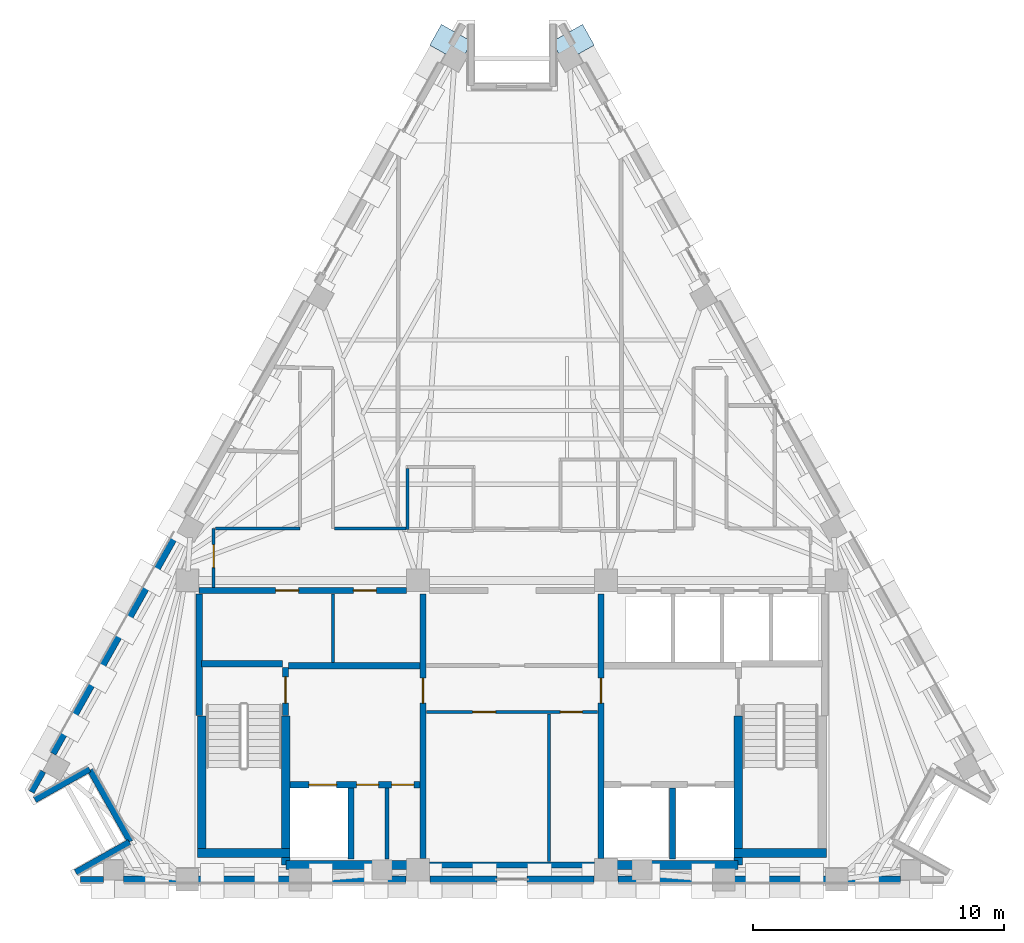
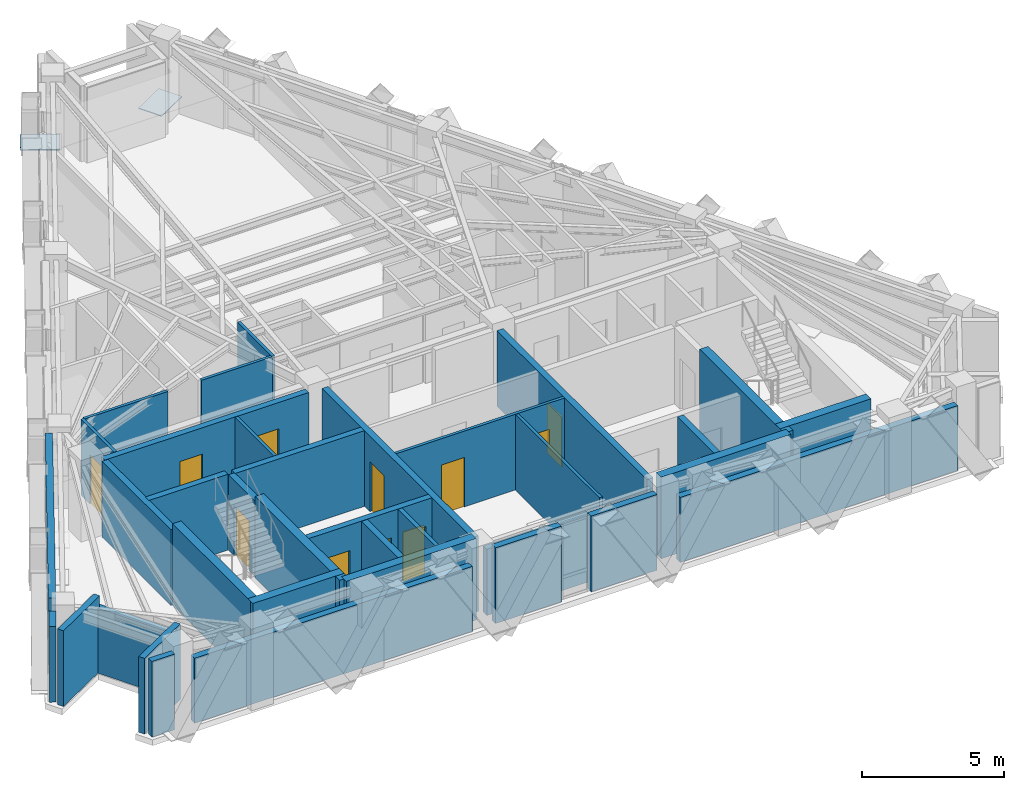
# One storey, part 5 of 9: 36 walls, 11 doors, 2 plates, 11 openings.
"""IFC4 building model written with IfcOpenShell, lengths in metres."""

from ifc_helpers import new_model, si_unit, direction, frame, frame_2d, origin, origin_2d, place, context, subcontext, project, spatial, rectangle, extrude, material, layer, layer_set, type_object, element, fill, save


model = new_model("IFC4")

# Units and contexts
model_context = context("Model", 3, precision=1e-05, world=origin(), true_north=direction((0.0, 1.0)))
body_context = subcontext(model_context, "Body", "Model", "MODEL_VIEW")
ifc_project = project(units=[si_unit("LENGTHUNIT", "METRE"), si_unit("AREAUNIT", "SQUARE_METRE"), si_unit("VOLUMEUNIT", "CUBIC_METRE"), si_unit("PLANEANGLEUNIT", "RADIAN"), si_unit("MASSUNIT", "GRAM", prefix="KILO")], contexts=[model_context])

# Site, building, storey
site_placement = place(None, origin())
site = spatial("IfcSite", under=ifc_project, at=site_placement, CompositionType="ELEMENT")
building_placement = place(site_placement, origin())
building = spatial("IfcBuilding", under=site, at=building_placement, Name="Quenlor Broadcast Tower", CompositionType="ELEMENT")
storey_placement = place(building_placement, frame((0.0, 0.0, 239.39990234375)))
storey = spatial("IfcBuildingStorey", under=building, at=storey_placement, Name="L66", CompositionType="ELEMENT", Elevation=239.39990234375)

# Plates
ifc_material_1 = material(Name="Steel S355", Category="steel")
ifc_layer_1 = layer(ifc_material_1, 0.035888671875)
ifc_layer_set_1 = layer_set([ifc_layer_1], Name="Transfer Truss Steel S355 Gusset Node Plate 1400x950x36")
plate_type = type_object("IfcPlateType", Name="Transfer Truss Steel S355 Gusset Node Plate 1400x950x36", PredefinedType="SHEET", material=ifc_layer_set_1)
for number, where, z_axis, x_axis, name in (
    (1, (2.438232421875, 16.626708984375, 0.0419921875), (0.0, 0.0, 1.0), (0.871556314255, 0.490295412055, 0.0), "L66 Lattice Tie Gusset Node NE-B0"),
    (2, (-2.438232421875, 16.626708984375, 0.0419921875), (0.0, 0.0, 1.0), (-0.871556314255, 0.490295412055, 0.0), "L66 Lattice Tie Gusset Node NW-B15"),
):
    element("IfcPlate", number, at=place(storey_placement, frame(where, z_axis=z_axis, x_axis=x_axis)), inside=storey, type_object=plate_type, Name=name, PredefinedType="SHEET", context=body_context, shape_type="SweptSolid", body=[
        extrude(rectangle(XDim=1.39990234375, YDim=0.949951171875, at=origin_2d()), origin(), (0.0, 0.0, 1.0), 0.035888671875),
    ])

# Walls
ifc_material_2 = material(Name="Concrete C50/60", Category="concrete")
ifc_layer_2 = layer(ifc_material_2, 0.35009765625)
ifc_layer_set_2 = layer_set([ifc_layer_2], Name="Core Concrete C50/60 Shear Wall 350")
wall_type_1 = type_object("IfcWallType", Name="Core Concrete C50/60 Shear Wall 350", PredefinedType="SHEAR", material=ifc_layer_set_2)
wall_1_placement = place(storey_placement, frame((-12.550048828125, -15.675048828125, 0.0), z_axis=(0.0, 0.0, 1.0), x_axis=(1.0, 0.0, 0.0)))
element("IfcWall", 3, at=wall_1_placement, inside=storey, type_object=wall_type_1, Name="L66 Core Shear Wall WS-W1", PredefinedType="SHEAR", context=body_context, shape_type="SweptSolid", body=[
    extrude(rectangle(XDim=3.699951171875, YDim=0.35009765625, at=frame_2d((1.85009765625, 0.0))), origin(), (0.0, 0.0, 1.0), 3.5),
])
for number, where, z_axis, x_axis, name in (
    (4, (-9.02490234375, -16.14990234375, 0.0), (0.0, 0.0, 1.0), (1.0, 0.0, 0.0), "L66 Core Shear Wall WS-W2"),
    (5, (3.75, -16.14990234375, 0.0), (0.0, 0.0, 1.0), (1.0, 0.0, 0.0), "L66 Core Shear Wall WS-E1"),
):
    element("IfcWall", number, at=place(storey_placement, frame(where, z_axis=z_axis, x_axis=x_axis)), inside=storey, type_object=wall_type_1, Name=name, PredefinedType="SHEAR", context=body_context, shape_type="SweptSolid", body=[
        extrude(rectangle(XDim=5.27490234375, YDim=0.35009765625, at=frame_2d((2.637451171875, 0.0))), origin(), (0.0, 0.0, 1.0), 3.5),
    ])
wall_2_placement = place(storey_placement, frame((8.85009765625, -15.675048828125, 0.0), z_axis=(0.0, 0.0, 1.0), x_axis=(1.0, 0.0, 0.0)))
element("IfcWall", 6, at=wall_2_placement, inside=storey, type_object=wall_type_1, Name="L66 Core Shear Wall WS-E2", PredefinedType="SHEAR", context=body_context, shape_type="SweptSolid", body=[
    extrude(rectangle(XDim=3.699951171875, YDim=0.35009765625, at=frame_2d((1.85009765625, 0.0))), origin(), (0.0, 0.0, 1.0), 3.5),
])
wall_3_placement = place(storey_placement, frame((-12.375, -15.675048828125, 0.0), z_axis=(0.0, 0.0, 1.0), x_axis=(0.0, 1.0, 0.0)))
element("IfcWall", 7, at=wall_3_placement, inside=storey, type_object=wall_type_1, Name="L66 Core Shear Wall WF-W", PredefinedType="SHEAR", context=body_context, shape_type="SweptSolid", body=[
    extrude(rectangle(XDim=5.47509765625, YDim=0.35009765625, at=frame_2d((2.737548828125, 0.0))), origin(), (0.0, 0.0, 1.0), 3.5),
])
for number, where, z_axis, x_axis, name in (
    (8, (-9.02490234375, -16.14990234375, 0.0), (0.0, 0.0, 1.0), (0.0, 1.0, 0.0), "L66 Core Shear Wall WI-W"),
    (9, (9.02490234375, -16.14990234375, 0.0), (0.0, 0.0, 1.0), (0.0, 1.0, 0.0), "L66 Core Shear Wall WI-E"),
):
    element("IfcWall", number, at=place(storey_placement, frame(where, z_axis=z_axis, x_axis=x_axis)), inside=storey, type_object=wall_type_1, Name=name, PredefinedType="SHEAR", context=body_context, shape_type="SweptSolid", body=[
        extrude(rectangle(XDim=5.949951171875, YDim=0.35009765625, at=frame_2d((2.97509765625, 0.0))), origin(), (0.0, 0.0, 1.0), 3.5),
    ])

# Wall, opening, door
ifc_material_3 = material(Name="Concrete C40/50", Category="concrete")
ifc_layer_3 = layer(ifc_material_3, 0.25)
ifc_layer_set_3 = layer_set([ifc_layer_3], Name="Fire Rated Concrete C40/50 Core Wall 250")
wall_type_2 = type_object("IfcWallType", Name="Fire Rated Concrete C40/50 Core Wall 250", PredefinedType="PARTITIONING", material=ifc_layer_set_3)
wall_4_placement = place(storey_placement, frame((-9.0400390625, -10.179931640625, 0.0), z_axis=(0.0, 0.0, 1.0), x_axis=(0.0, 1.0, 0.0)))
wall_4 = element("IfcWall", 10, at=wall_4_placement, inside=storey, type_object=wall_type_2, Name="L66 Interior Wall CW-ST1-DR", PredefinedType="PARTITIONING", context=body_context, shape_type="SweptSolid", body=[
    extrude(rectangle(XDim=1.89990234375, YDim=0.25, at=frame_2d((0.949951171875, 0.0))), origin(), (0.0, 0.0, 1.0), 3.25),
])
opening_1_placement = place(wall_4_placement, frame((0.47998046875, 0.0, 0.0)))
opening_1 = element("IfcOpeningElement", 11, at=opening_1_placement, cuts=wall_4, Name="Opening FD-1", PredefinedType="OPENING", context=body_context, shape_type="SweptSolid", body=[
    extrude(rectangle(XDim=1.050048828125, YDim=2.14990234375, at=frame_2d((0.52490234375, 1.074951171875))), frame((0.0, 0.135009765625, 0.0), z_axis=(0.0, -1.0, 0.0), x_axis=(1.0, 0.0, 0.0)), (0.0, 0.0, 1.0), 0.27001953125),
])
ifc_material_4 = material(Name="Fire Rated Steel Door Leaf", Category="steel")
door_type_1 = type_object("IfcDoorType", Name="Fire Isolated Stair Door 1050x2150", OperationType="NOTDEFINED", PredefinedType="DOOR", material=ifc_material_4)
door_1_placement = place(opening_1_placement, origin())
door_1 = element("IfcDoor", 12, at=door_1_placement, inside=storey, type_object=door_type_1, Name="L66 Door DR-ST1", OperationType="SINGLE_SWING_LEFT", OverallHeight=2.14990234375, OverallWidth=1.050048828125, PredefinedType="DOOR", context=body_context, shape_type="SweptSolid", body=[
    extrude(rectangle(XDim=1.050048828125, YDim=2.14990234375, at=frame_2d((0.52490234375, 1.074951171875))), frame((0.0, 0.02490234375, 0.0), z_axis=(0.0, -1.0, 0.0), x_axis=(1.0, 0.0, 0.0)), (0.0, 0.0, 1.0), 0.050048828125),
])
fill(opening_1, door_1)

# Walls
wall_5_placement = place(storey_placement, frame((-12.3798828125, -8.1201171875, 0.0), z_axis=(0.0, 0.0, 1.0), x_axis=(1.0, 0.0, 0.0)))
element("IfcWall", 13, at=wall_5_placement, inside=storey, type_object=wall_type_2, Name="L66 Interior Wall CW-ST1-N", PredefinedType="PARTITIONING", context=body_context, shape_type="SweptSolid", body=[
    extrude(rectangle(XDim=3.219970703125, YDim=0.25, at=frame_2d((1.60986328125, 0.0))), origin(), (0.0, 0.0, 1.0), 3.25),
])
wall_6_placement = place(storey_placement, frame((-12.47998046875, -10.179931640625, 0.0), z_axis=(0.0, 0.0, 1.0), x_axis=(0.0, 1.0, 0.0)))
element("IfcWall", 14, at=wall_6_placement, inside=storey, type_object=wall_type_2, Name="L66 Interior Wall CW-ST1-W2", PredefinedType="PARTITIONING", context=body_context, shape_type="SweptSolid", body=[
    extrude(rectangle(XDim=4.83984375, YDim=0.25, at=frame_2d((2.419921875, 0.0))), origin(), (0.0, 0.0, 1.0), 3.25),
])

# Wall, openings, doors
wall_7_placement = place(storey_placement, frame((-8.847900390625, -12.949951171875, 0.0), z_axis=(0.0, 0.0, 1.0), x_axis=(1.0, 0.0, 0.0)))
wall_7 = element("IfcWall", 15, at=wall_7_placement, inside=storey, type_object=wall_type_2, Name="L66 Interior Wall CW-FFW-S", PredefinedType="PARTITIONING", context=body_context, shape_type="SweptSolid", body=[
    extrude(rectangle(XDim=5.16796875, YDim=0.25, at=frame_2d((2.583984375, 0.0))), origin(), (0.0, 0.0, 1.0), 3.25),
])
opening_2_placement = place(wall_7_placement, frame((0.748046875, 0.0, 0.0)))
opening_2 = element("IfcOpeningElement", 16, at=opening_2_placement, cuts=wall_7, Name="Opening LD-FFL-1", PredefinedType="OPENING", context=body_context, shape_type="SweptSolid", body=[
    extrude(rectangle(XDim=1.10009765625, YDim=2.14990234375, at=frame_2d((0.550048828125, 1.074951171875))), frame((0.0, 0.135009765625, 0.0), z_axis=(0.0, -1.0, 0.0), x_axis=(1.0, 0.0, 0.0)), (0.0, 0.0, 1.0), 0.27001953125),
])
opening_3_placement = place(wall_7_placement, frame((2.64794921875, 0.0, 0.0)))
opening_3 = element("IfcOpeningElement", 17, at=opening_3_placement, cuts=wall_7, Name="Opening TD-1", PredefinedType="OPENING", context=body_context, shape_type="SweptSolid", body=[
    extrude(rectangle(XDim=0.8798828125, YDim=2.10009765625, at=frame_2d((0.43994140625, 1.050048828125))), frame((0.0, 0.135009765625, 0.0), z_axis=(0.0, -1.0, 0.0), x_axis=(1.0, 0.0, 0.0)), (0.0, 0.0, 1.0), 0.27001953125),
])
opening_4_placement = place(wall_7_placement, frame((4.048095703125, 0.0, 0.0)))
opening_4 = element("IfcOpeningElement", 18, at=opening_4_placement, cuts=wall_7, Name="Opening TD-1", PredefinedType="OPENING", context=body_context, shape_type="SweptSolid", body=[
    extrude(rectangle(XDim=0.8798828125, YDim=2.10009765625, at=frame_2d((0.43994140625, 1.050048828125))), frame((0.0, 0.135009765625, 0.0), z_axis=(0.0, -1.0, 0.0), x_axis=(1.0, 0.0, 0.0)), (0.0, 0.0, 1.0), 0.27001953125),
])
ifc_material_5 = material(Name="Brushed Stainless Steel", Category="steel")
door_type_2 = type_object("IfcDoorType", Name="Emergency Lift Sliding Landing Door 1100x2150", OperationType="NOTDEFINED", PredefinedType="DOOR", material=ifc_material_5)
door_2_placement = place(opening_2_placement, origin())
door_2 = element("IfcDoor", 19, at=door_2_placement, inside=storey, type_object=door_type_2, Name="L66 Door LD-FFL-1", OperationType="SLIDING_TO_LEFT", OverallHeight=2.14990234375, OverallWidth=1.10009765625, PredefinedType="DOOR", context=body_context, shape_type="SweptSolid", body=[
    extrude(rectangle(XDim=1.10009765625, YDim=2.14990234375, at=frame_2d((0.550048828125, 1.074951171875))), frame((0.0, 0.02490234375, 0.0), z_axis=(0.0, -1.0, 0.0), x_axis=(1.0, 0.0, 0.0)), (0.0, 0.0, 1.0), 0.050048828125),
])
fill(opening_2, door_2)
ifc_material_6 = material(Name="Fire Rated Steel Access Panel", Category="steel")
door_type_3 = type_object("IfcDoorType", Name="Riser Shaft Rated Access Trapdoor 880x2100", OperationType="NOTDEFINED", PredefinedType="TRAPDOOR", material=ifc_material_6)
door_3_placement = place(opening_3_placement, origin())
door_3 = element("IfcDoor", 20, at=door_3_placement, inside=storey, type_object=door_type_3, Name="L66 Door DR-ELR", OperationType="SINGLE_SWING_LEFT", OverallHeight=2.10009765625, OverallWidth=0.8798828125, PredefinedType="TRAPDOOR", context=body_context, shape_type="SweptSolid", body=[
    extrude(rectangle(XDim=0.8798828125, YDim=2.10009765625, at=frame_2d((0.43994140625, 1.050048828125))), frame((0.0, 0.02490234375, 0.0), z_axis=(0.0, -1.0, 0.0), x_axis=(1.0, 0.0, 0.0)), (0.0, 0.0, 1.0), 0.050048828125),
])
fill(opening_3, door_3)
door_4_placement = place(opening_4_placement, origin())
door_4 = element("IfcDoor", 21, at=door_4_placement, inside=storey, type_object=door_type_3, Name="L66 Door DR-CMR", OperationType="SINGLE_SWING_RIGHT", OverallHeight=2.10009765625, OverallWidth=0.8798828125, PredefinedType="TRAPDOOR", context=body_context, shape_type="SweptSolid", body=[
    extrude(rectangle(XDim=0.8798828125, YDim=2.10009765625, at=frame_2d((0.43994140625, 1.050048828125))), frame((0.0, 0.02490234375, 0.0), z_axis=(0.0, -1.0, 0.0), x_axis=(1.0, 0.0, 0.0)), (0.0, 0.0, 1.0), 0.050048828125),
])
fill(opening_4, door_4)

# Walls
for number, where, z_axis, x_axis, name in (
    (22, (-6.419921875, -15.919921875, 0.0), (0.0, 0.0, 1.0), (0.0, 1.0, 0.0), "L66 Interior Wall CW-FF1-E"),
    (23, (6.39990234375, -15.919921875, 0.0), (0.0, 0.0, 1.0), (0.0, 1.0, 0.0), "L66 Interior Wall CW-SV1-E"),
):
    element("IfcWall", number, at=place(storey_placement, frame(where, z_axis=z_axis, x_axis=x_axis)), inside=storey, type_object=wall_type_2, Name=name, PredefinedType="PARTITIONING", context=body_context, shape_type="SweptSolid", body=[
        extrude(rectangle(XDim=2.829833984375, YDim=0.25, at=frame_2d((1.4150390625, 0.0))), origin(), (0.0, 0.0, 1.0), 3.25),
    ])
wall_8_placement = place(storey_placement, frame((-8.919921875, -8.199951171875, 0.0), z_axis=(0.0, 0.0, 1.0), x_axis=(1.0, 0.0, 0.0)))
element("IfcWall", 24, at=wall_8_placement, inside=storey, type_object=wall_type_2, Name="L66 Interior Wall CW-FFW-N", PredefinedType="PARTITIONING", context=body_context, shape_type="SweptSolid", body=[
    extrude(rectangle(XDim=5.239990234375, YDim=0.25, at=frame_2d((2.6201171875, 0.0))), origin(), (0.0, 0.0, 1.0), 3.25),
])

# Wall, opening, door
wall_9_placement = place(storey_placement, frame((-3.550048828125, -15.89794921875, 0.0), z_axis=(0.0, 0.0, 1.0), x_axis=(0.0, 1.0, 0.0)))
wall_9 = element("IfcWall", 25, at=wall_9_placement, inside=storey, type_object=wall_type_2, Name="L66 Interior Wall CW-FFW-E", PredefinedType="PARTITIONING", context=body_context, shape_type="SweptSolid", body=[
    extrude(rectangle(XDim=10.557861328125, YDim=0.25, at=frame_2d((5.27880859375, 0.0))), origin(), (0.0, 0.0, 1.0), 3.25),
])
opening_5_placement = place(wall_9_placement, frame((6.197998046875, 0.0, 0.0)))
opening_5 = element("IfcOpeningElement", 26, at=opening_5_placement, cuts=wall_9, Name="Opening FD-2", PredefinedType="OPENING", context=body_context, shape_type="SweptSolid", body=[
    extrude(rectangle(XDim=1.0, YDim=2.14990234375, at=frame_2d((0.5, 1.074951171875))), frame((0.0, 0.135009765625, 0.0), z_axis=(0.0, -1.0, 0.0), x_axis=(1.0, 0.0, 0.0)), (0.0, 0.0, 1.0), 0.27001953125),
])
ifc_material_7 = material(Name="Fire Rated Glazed Steel Door", Category="steel")
door_type_4 = type_object("IfcDoorType", Name="Firefighting Lobby Smoke Door 1000x2150", OperationType="NOTDEFINED", PredefinedType="DOOR", material=ifc_material_7)
door_5_placement = place(opening_5_placement, origin())
door_5 = element("IfcDoor", 27, at=door_5_placement, inside=storey, type_object=door_type_4, Name="L66 Door DR-FFLW", OperationType="SINGLE_SWING_RIGHT", OverallHeight=2.14990234375, OverallWidth=1.0, PredefinedType="DOOR", context=body_context, shape_type="SweptSolid", body=[
    extrude(rectangle(XDim=1.0, YDim=2.14990234375, at=frame_2d((0.5, 1.074951171875))), frame((0.0, 0.02490234375, 0.0), z_axis=(0.0, -1.0, 0.0), x_axis=(1.0, 0.0, 0.0)), (0.0, 0.0, 1.0), 0.050048828125),
])
fill(opening_5, door_5)

wall_10_placement = place(storey_placement, frame((3.550048828125, -15.89794921875, 0.0), z_axis=(0.0, 0.0, 1.0), x_axis=(0.0, 1.0, 0.0)))
wall_10 = element("IfcWall", 28, at=wall_10_placement, inside=storey, type_object=wall_type_2, Name="L66 Interior Wall CW-FFE-W", PredefinedType="PARTITIONING", context=body_context, shape_type="SweptSolid", body=[
    extrude(rectangle(XDim=10.557861328125, YDim=0.25, at=frame_2d((5.27880859375, 0.0))), origin(), (0.0, 0.0, 1.0), 3.25),
])
opening_6_placement = place(wall_10_placement, frame((6.197998046875, 0.0, 0.0)))
opening_6 = element("IfcOpeningElement", 29, at=opening_6_placement, cuts=wall_10, Name="Opening FD-2", PredefinedType="OPENING", context=body_context, shape_type="SweptSolid", body=[
    extrude(rectangle(XDim=1.0, YDim=2.14990234375, at=frame_2d((0.5, 1.074951171875))), frame((0.0, 0.135009765625, 0.0), z_axis=(0.0, -1.0, 0.0), x_axis=(1.0, 0.0, 0.0)), (0.0, 0.0, 1.0), 0.27001953125),
])
door_6_placement = place(opening_6_placement, origin())
door_6 = element("IfcDoor", 30, at=door_6_placement, inside=storey, type_object=door_type_4, Name="L66 Door DR-FFLE", OperationType="SINGLE_SWING_LEFT", OverallHeight=2.14990234375, OverallWidth=1.0, PredefinedType="DOOR", context=body_context, shape_type="SweptSolid", body=[
    extrude(rectangle(XDim=1.0, YDim=2.14990234375, at=frame_2d((0.5, 1.074951171875))), frame((0.0, 0.02490234375, 0.0), z_axis=(0.0, -1.0, 0.0), x_axis=(1.0, 0.0, 0.0)), (0.0, 0.0, 1.0), 0.050048828125),
])
fill(opening_6, door_6)

# Wall, openings, doors
wall_11_placement = place(storey_placement, frame((-12.47998046875, -5.199951171875, 0.0), z_axis=(0.0, 0.0, 1.0), x_axis=(1.0, 0.0, 0.0)))
wall_11 = element("IfcWall", 31, at=wall_11_placement, inside=storey, type_object=wall_type_2, Name="L66 Interior Wall CW-N-W", PredefinedType="PARTITIONING", context=body_context, shape_type="SweptSolid", body=[
    extrude(rectangle(XDim=8.278076171875, YDim=0.25, at=frame_2d((4.13916015625, 0.0))), origin(), (0.0, 0.0, 1.0), 3.25),
])
opening_7_placement = place(wall_11_placement, frame((3.050048828125, 0.0, 0.0)))
opening_7 = element("IfcOpeningElement", 32, at=opening_7_placement, cuts=wall_11, Name="Opening ID-1", PredefinedType="OPENING", context=body_context, shape_type="SweptSolid", body=[
    extrude(rectangle(XDim=0.919921875, YDim=2.1201171875, at=frame_2d((0.4599609375, 1.06005859375))), frame((0.0, 0.135009765625, 0.0), z_axis=(0.0, -1.0, 0.0), x_axis=(1.0, 0.0, 0.0)), (0.0, 0.0, 1.0), 0.27001953125),
])
opening_8_placement = place(wall_11_placement, frame((6.14990234375, 0.0, 0.0)))
opening_8 = element("IfcOpeningElement", 33, at=opening_8_placement, cuts=wall_11, Name="Opening ID-1", PredefinedType="OPENING", context=body_context, shape_type="SweptSolid", body=[
    extrude(rectangle(XDim=0.919921875, YDim=2.1201171875, at=frame_2d((0.4599609375, 1.06005859375))), frame((0.0, 0.135009765625, 0.0), z_axis=(0.0, -1.0, 0.0), x_axis=(1.0, 0.0, 0.0)), (0.0, 0.0, 1.0), 0.27001953125),
])
ifc_material_8 = material(Name="Solid Core Timber Oak", Category="wood")
door_type_5 = type_object("IfcDoorType", Name="Single Leaf Timber Office Door 920x2120", OperationType="NOTDEFINED", PredefinedType="DOOR", material=ifc_material_8)
door_7_placement = place(opening_7_placement, origin())
door_7 = element("IfcDoor", 34, at=door_7_placement, inside=storey, type_object=door_type_5, Name="L66 Door DR-RCL1", OperationType="SINGLE_SWING_LEFT", OverallHeight=2.1201171875, OverallWidth=0.919921875, PredefinedType="DOOR", context=body_context, shape_type="SweptSolid", body=[
    extrude(rectangle(XDim=0.919921875, YDim=2.1201171875, at=frame_2d((0.4599609375, 1.06005859375))), frame((0.0, 0.02490234375, 0.0), z_axis=(0.0, -1.0, 0.0), x_axis=(1.0, 0.0, 0.0)), (0.0, 0.0, 1.0), 0.050048828125),
])
fill(opening_7, door_7)
door_8_placement = place(opening_8_placement, origin())
door_8 = element("IfcDoor", 35, at=door_8_placement, inside=storey, type_object=door_type_5, Name="L66 Door DR-RCL2", OperationType="SINGLE_SWING_RIGHT", OverallHeight=2.1201171875, OverallWidth=0.919921875, PredefinedType="DOOR", context=body_context, shape_type="SweptSolid", body=[
    extrude(rectangle(XDim=0.919921875, YDim=2.1201171875, at=frame_2d((0.4599609375, 1.06005859375))), frame((0.0, 0.02490234375, 0.0), z_axis=(0.0, -1.0, 0.0), x_axis=(1.0, 0.0, 0.0)), (0.0, 0.0, 1.0), 0.050048828125),
])
fill(opening_8, door_8)

# Walls
wall_12_placement = place(storey_placement, frame((-3.298095703125, -16.14990234375, 0.0), z_axis=(0.0, 0.0, 1.0), x_axis=(1.0, 0.0, 0.0)))
element("IfcWall", 36, at=wall_12_placement, inside=storey, type_object=wall_type_2, Name="L66 Interior Wall CW-MS-S", PredefinedType="PARTITIONING", context=body_context, shape_type="SweptSolid", body=[
    extrude(rectangle(XDim=6.59619140625, YDim=0.25, at=frame_2d((3.298095703125, 0.0))), origin(), (0.0, 0.0, 1.0), 2.84375),
])
ifc_material_9 = material(Name="Gypsum Fireboard Partition", Category="other")
ifc_layer_4 = layer(ifc_material_9, 0.159912109375)
ifc_layer_set_4 = layer_set([ifc_layer_4], Name="Fire Rated Shaft and Corridor Partition 160")
wall_type_3 = type_object("IfcWallType", Name="Fire Rated Shaft and Corridor Partition 160", PredefinedType="PARTITIONING", material=ifc_layer_set_4)
wall_13_placement = place(storey_placement, frame((-4.97998046875, -15.919921875, 0.0), z_axis=(0.0, 0.0, 1.0), x_axis=(0.0, 1.0, 0.0)))
element("IfcWall", 37, at=wall_13_placement, inside=storey, type_object=wall_type_3, Name="L66 Interior Wall CW-ELR-E", PredefinedType="PARTITIONING", context=body_context, shape_type="SweptSolid", body=[
    extrude(rectangle(XDim=2.829833984375, YDim=0.159912109375, at=frame_2d((1.4150390625, 0.0))), origin(), (0.0, 0.0, 1.0), 3.25),
])
ifc_material_10 = material(Name="Gypsum Plasterboard Partition", Category="other")
ifc_layer_5 = layer(ifc_material_10, 0.1201171875)
ifc_layer_set_5 = layer_set([ifc_layer_5], Name="Standard Office Partition 120")
wall_type_4 = type_object("IfcWallType", Name="Standard Office Partition 120", PredefinedType="PARTITIONING", material=ifc_layer_set_5)
wall_14_placement = place(storey_placement, frame((-7.14990234375, -8.072998046875, 0.0), z_axis=(0.0, 0.0, 1.0), x_axis=(0.0, 1.0, 0.0)))
element("IfcWall", 38, at=wall_14_placement, inside=storey, type_object=wall_type_4, Name="L66 Interior Wall CW-RCL-MID", PredefinedType="PARTITIONING", context=body_context, shape_type="SweptSolid", body=[
    extrude(rectangle(XDim=2.73291015625, YDim=0.1201171875, at=frame_2d((1.366455078125, 0.0))), origin(), (0.0, 0.0, 1.0), 3.25),
])

# Wall, openings, doors
wall_15_placement = place(storey_placement, frame((-3.419921875, -10.050048828125, 0.0), z_axis=(0.0, 0.0, 1.0), x_axis=(1.0, 0.0, 0.0)))
wall_15 = element("IfcWall", 39, at=wall_15_placement, inside=storey, type_object=wall_type_4, Name="L66 Interior Wall CW-MS-N", PredefinedType="PARTITIONING", context=body_context, shape_type="SweptSolid", body=[
    extrude(rectangle(XDim=6.83984375, YDim=0.1201171875, at=frame_2d((3.419921875, 0.0))), origin(), (0.0, 0.0, 1.0), 3.25),
])
opening_9_placement = place(wall_15_placement, frame((1.85009765625, 0.0, 0.0)))
opening_9 = element("IfcOpeningElement", 40, at=opening_9_placement, cuts=wall_15, Name="Opening ID-1", PredefinedType="OPENING", context=body_context, shape_type="SweptSolid", body=[
    extrude(rectangle(XDim=0.919921875, YDim=2.1201171875, at=frame_2d((0.4599609375, 1.06005859375))), frame((0.0, 0.070068359375, 0.0), z_axis=(0.0, -1.0, 0.0), x_axis=(1.0, 0.0, 0.0)), (0.0, 0.0, 1.0), 0.14013671875),
])
opening_10_placement = place(wall_15_placement, frame((5.35009765625, 0.0, 0.0)))
opening_10 = element("IfcOpeningElement", 41, at=opening_10_placement, cuts=wall_15, Name="Opening ID-4", PredefinedType="OPENING", context=body_context, shape_type="SweptSolid", body=[
    extrude(rectangle(XDim=0.8798828125, YDim=2.1201171875, at=frame_2d((0.43994140625, 1.06005859375))), frame((0.0, 0.070068359375, 0.0), z_axis=(0.0, -1.0, 0.0), x_axis=(1.0, 0.0, 0.0)), (0.0, 0.0, 1.0), 0.14013671875),
])
ifc_material_11 = material(Name="Solid Core Timber Oak", Category="wood")
door_type_6 = type_object("IfcDoorType", Name="Service Closet Timber Door 880x2120", OperationType="NOTDEFINED", PredefinedType="DOOR", material=ifc_material_11)
door_9_placement = place(opening_10_placement, origin())
door_9 = element("IfcDoor", 42, at=door_9_placement, inside=storey, type_object=door_type_6, Name="L66 Door DR-RCMB", OperationType="SINGLE_SWING_RIGHT", OverallHeight=2.1201171875, OverallWidth=0.8798828125, PredefinedType="DOOR", context=body_context, shape_type="SweptSolid", body=[
    extrude(rectangle(XDim=0.8798828125, YDim=2.1201171875, at=frame_2d((0.43994140625, 1.06005859375))), frame((0.0, 0.02490234375, 0.0), z_axis=(0.0, -1.0, 0.0), x_axis=(1.0, 0.0, 0.0)), (0.0, 0.0, 1.0), 0.050048828125),
])
fill(opening_10, door_9)
door_10_placement = place(opening_9_placement, origin())
door_10 = element("IfcDoor", 43, at=door_10_placement, inside=storey, type_object=door_type_5, Name="L66 Door DR-RCMA", OperationType="SINGLE_SWING_LEFT", OverallHeight=2.1201171875, OverallWidth=0.919921875, PredefinedType="DOOR", context=body_context, shape_type="SweptSolid", body=[
    extrude(rectangle(XDim=0.919921875, YDim=2.1201171875, at=frame_2d((0.4599609375, 1.06005859375))), frame((0.0, 0.02490234375, 0.0), z_axis=(0.0, -1.0, 0.0), x_axis=(1.0, 0.0, 0.0)), (0.0, 0.0, 1.0), 0.050048828125),
])
fill(opening_9, door_10)

# Walls
wall_16_placement = place(storey_placement, frame((1.47998046875, -16.02001953125, 0.0), z_axis=(0.0, 0.0, 1.0), x_axis=(0.0, 1.0, 0.0)))
element("IfcWall", 44, at=wall_16_placement, inside=storey, type_object=wall_type_4, Name="L66 Interior Wall CW-RCM-X2", PredefinedType="PARTITIONING", context=body_context, shape_type="SweptSolid", body=[
    extrude(rectangle(XDim=5.89013671875, YDim=0.1201171875, at=frame_2d((2.945068359375, 0.0))), origin(), (0.0, 0.0, 1.0), 3.25),
])
wall_17_placement = place(storey_placement, frame((-4.159912109375, -2.758056640625, 0.0), z_axis=(0.0, 0.0, 1.0), x_axis=(0.0, 1.0, 0.0)))
element("IfcWall", 45, at=wall_17_placement, inside=storey, type_object=wall_type_4, Name="L66 Interior Wall PW-AWC-W", PredefinedType="PARTITIONING", context=body_context, shape_type="SweptSolid", body=[
    extrude(rectangle(XDim=2.426025390625, YDim=0.1201171875, at=frame_2d((1.212890625, 0.0))), origin(), (0.0, 0.0, 1.0), 3.25),
])

# Wall, opening, door
wall_18_placement = place(storey_placement, frame((-11.89990234375, -5.072998046875, 0.0), z_axis=(0.0, 0.0, 1.0), x_axis=(0.0, 1.0, 0.0)))
wall_18 = element("IfcWall", 46, at=wall_18_placement, inside=storey, type_object=wall_type_4, Name="L66 Interior Wall PW-CR-01", PredefinedType="PARTITIONING", context=body_context, shape_type="SweptSolid", body=[
    extrude(rectangle(XDim=2.343017578125, YDim=0.1201171875, at=frame_2d((1.17138671875, 0.0))), origin(), (0.0, 0.0, 1.0), 3.25),
])
opening_11_placement = place(wall_18_placement, frame((0.782958984375, 0.0, 0.0)))
opening_11 = element("IfcOpeningElement", 47, at=opening_11_placement, cuts=wall_18, Name="Opening ID-1", PredefinedType="OPENING", context=body_context, shape_type="SweptSolid", body=[
    extrude(rectangle(XDim=0.919921875, YDim=2.1201171875, at=frame_2d((0.4599609375, 1.06005859375))), frame((0.0, 0.070068359375, 0.0), z_axis=(0.0, -1.0, 0.0), x_axis=(1.0, 0.0, 0.0)), (0.0, 0.0, 1.0), 0.14013671875),
])
door_11_placement = place(opening_11_placement, origin())
door_11 = element("IfcDoor", 48, at=door_11_placement, inside=storey, type_object=door_type_5, Name="L66 Door DR-RM06", OperationType="SINGLE_SWING_RIGHT", OverallHeight=2.1201171875, OverallWidth=0.919921875, PredefinedType="DOOR", context=body_context, shape_type="SweptSolid", body=[
    extrude(rectangle(XDim=0.919921875, YDim=2.1201171875, at=frame_2d((0.4599609375, 1.06005859375))), frame((0.0, 0.02490234375, 0.0), z_axis=(0.0, -1.0, 0.0), x_axis=(1.0, 0.0, 0.0)), (0.0, 0.0, 1.0), 0.050048828125),
])
fill(opening_11, door_11)

# Walls
wall_19_placement = place(storey_placement, frame((-11.837890625, -2.72998046875, 0.0), z_axis=(0.0, 0.0, 1.0), x_axis=(1.0, 0.0, 0.0)))
element("IfcWall", 49, at=wall_19_placement, inside=storey, type_object=wall_type_4, Name="L66 Interior Wall PW-CR-02", PredefinedType="PARTITIONING", context=body_context, shape_type="SweptSolid", body=[
    extrude(rectangle(XDim=3.387939453125, YDim=0.1201171875, at=frame_2d((1.69384765625, 0.0))), origin(), (0.0, 0.0, 1.0), 3.25),
])
wall_20_placement = place(storey_placement, frame((-7.087890625, -2.72998046875, 0.0), z_axis=(0.0, 0.0, 1.0), x_axis=(1.0, 0.0, 0.0)))
element("IfcWall", 50, at=wall_20_placement, inside=storey, type_object=wall_type_4, Name="L66 Interior Wall PW-CR-06", PredefinedType="PARTITIONING", context=body_context, shape_type="SweptSolid", body=[
    extrude(rectangle(XDim=2.865966796875, YDim=0.1201171875, at=frame_2d((1.43310546875, 0.0))), origin(), (0.0, 0.0, 1.0), 3.25),
])
ifc_material_12 = material(Name="Precast concrete C40/50", Category="concrete")
ifc_layer_6 = layer(ifc_material_12, 0.239990234375)
ifc_layer_set_6 = layer_set([ifc_layer_6], Name="Terrace Threshold Precast Concrete C40/50 Wall 240")
wall_type_5 = type_object("IfcWallType", Name="Terrace Threshold Precast Concrete C40/50 Wall 240", PredefinedType="STANDARD", material=ifc_layer_set_6)
wall_21_placement = place(storey_placement, frame((-16.302490234375, -16.72509765625, 0.0), z_axis=(0.0, 0.0, 1.0), x_axis=(-1.0, 0.0, 0.0)))
element("IfcWall", 51, at=wall_21_placement, inside=storey, type_object=wall_type_5, Name="L66 Exterior Wall L66-SHD-SS1", PredefinedType="STANDARD", context=body_context, shape_type="SweptSolid", body=[
    extrude(rectangle(XDim=0.91748046875, YDim=0.239990234375, at=frame_2d((0.458740234375, 0.0))), origin(), (0.0, 0.0, 1.0), 3.25),
])
wall_22_placement = place(storey_placement, frame((-19.1708984375, -13.242431640625, 0.0), z_axis=(0.0, 0.0, 1.0), x_axis=(0.490199895283, 0.871610040479, 0.0)))
element("IfcWall", 52, at=wall_22_placement, inside=storey, type_object=wall_type_5, Name="L66 Exterior Wall L66-SHD-NWS0", PredefinedType="STANDARD", context=body_context, shape_type="SweptSolid", body=[
    extrude(rectangle(XDim=0.94482421875, YDim=0.239990234375, at=frame_2d((0.472412109375, 0.0))), origin(), (0.0, 0.0, 1.0), 3.25),
])
wall_23_placement = place(storey_placement, frame((-19.033447265625, -13.556396484375, 0.0), z_axis=(0.0, 0.0, 1.0), x_axis=(0.871588577066, 0.490238056792, 0.0)))
element("IfcWall", 53, at=wall_23_placement, inside=storey, type_object=wall_type_5, Name="L66 Exterior Wall L66-CNR-13", PredefinedType="STANDARD", context=body_context, shape_type="SweptSolid", body=[
    extrude(rectangle(XDim=2.5, YDim=0.239990234375, at=frame_2d((1.25, 0.0))), origin(), (0.0, 0.0, 1.0), 3.25),
])
wall_24_placement = place(storey_placement, frame((-16.8349609375, -12.36572265625, 0.0), z_axis=(0.0, 0.0, 1.0), x_axis=(0.490293083368, -0.871557624258, 0.0)))
element("IfcWall", 54, at=wall_24_placement, inside=storey, type_object=wall_type_5, Name="L66 Exterior Wall L66-CNR-14", PredefinedType="STANDARD", context=body_context, shape_type="SweptSolid", body=[
    extrude(rectangle(XDim=3.276123046875, YDim=0.239990234375, at=frame_2d((1.63818359375, 0.0))), origin(), (0.0, 0.0, 1.0), 2.789794921875),
])
wall_25_placement = place(storey_placement, frame((-15.263671875, -15.240478515625, 0.0), z_axis=(0.0, 0.0, 1.0), x_axis=(-0.87157023615, -0.490270663468, 0.0)))
element("IfcWall", 55, at=wall_25_placement, inside=storey, type_object=wall_type_5, Name="L66 Exterior Wall L66-CNR-15", PredefinedType="STANDARD", context=body_context, shape_type="SweptSolid", body=[
    extrude(rectangle(XDim=2.4599609375, YDim=0.239990234375, at=frame_2d((1.22998046875, 0.0))), origin(), (0.0, 0.0, 1.0), 3.25),
])
ifc_material_13 = material(Name="Precast concrete C40/50", Category="concrete")
ifc_layer_7 = layer(ifc_material_13, 0.260009765625)
ifc_layer_set_7 = layer_set([ifc_layer_7], Name="Terracotta Precast Concrete C40/50 Upper Wall 260")
wall_type_6 = type_object("IfcWallType", Name="Terracotta Precast Concrete C40/50 Upper Wall 260", PredefinedType="STANDARD", material=ifc_layer_set_7)
for number, where, z_axis, x_axis, name in (
    (56, (15.49267578125, -16.72509765625, 0.0), (0.0, 0.0, 1.0), (-1.0, 0.0, 0.0), "L66 Exterior Wall L66-EW-SA"),
    (57, (-4.219970703125, -16.72509765625, 0.0), (0.0, 0.0, 1.0), (-1.0, 0.0, 0.0), "L66 Exterior Wall L66-EW-SC"),
):
    element("IfcWall", number, at=place(storey_placement, frame(where, z_axis=z_axis, x_axis=x_axis)), inside=storey, type_object=wall_type_6, Name=name, PredefinedType="STANDARD", context=body_context, shape_type="SweptSolid", body=[
        extrude(rectangle(XDim=11.272705078125, YDim=0.260009765625, at=frame_2d((5.63623046875, 0.0))), origin(), (0.0, 0.0, 1.0), 2.789794921875),
    ])
for number, where, z_axis, x_axis, name in (
    (58, (3.280029296875, -16.72509765625, 0.0), (0.0, 0.0, 1.0), (-1.0, 0.0, 0.0), "L66 Exterior Wall L66-S-SP1"),
    (59, (-0.6064453125, -16.72509765625, 0.0), (0.0, 0.0, 1.0), (-1.0, 0.0, 0.0), "L66 Exterior Wall L66-S-SP2"),
):
    element("IfcWall", number, at=place(storey_placement, frame(where, z_axis=z_axis, x_axis=x_axis)), inside=storey, type_object=wall_type_6, Name=name, PredefinedType="STANDARD", context=body_context, shape_type="SweptSolid", body=[
        extrude(rectangle(XDim=2.673583984375, YDim=0.260009765625, at=frame_2d((1.3369140625, 0.0))), origin(), (0.0, 0.0, 1.0), 3.25),
    ])
wall_26_placement = place(storey_placement, frame((-18.310546875, -11.712890625, 0.0), z_axis=(0.0, 0.0, 1.0), x_axis=(0.490266968583, 0.871572314565, 0.0)))
element("IfcWall", 60, at=wall_26_placement, inside=storey, type_object=wall_type_6, Name="L66 Exterior Wall L66-EW-NWA", PredefinedType="STANDARD", context=body_context, shape_type="SweptSolid", body=[
    extrude(rectangle(XDim=10.116455078125, YDim=0.260009765625, at=frame_2d((5.05810546875, 0.0))), origin(), (0.0, 0.0, 1.0), 3.25),
])

save(model, "model.ifc")
